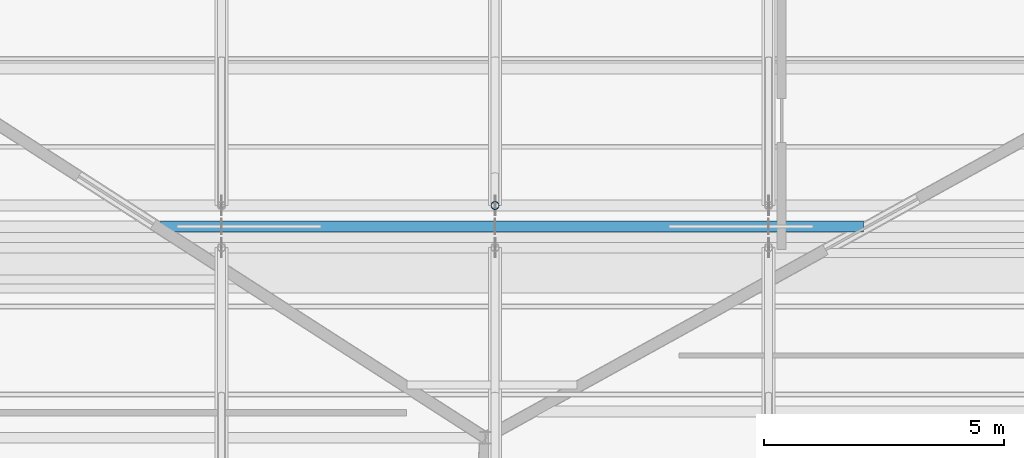
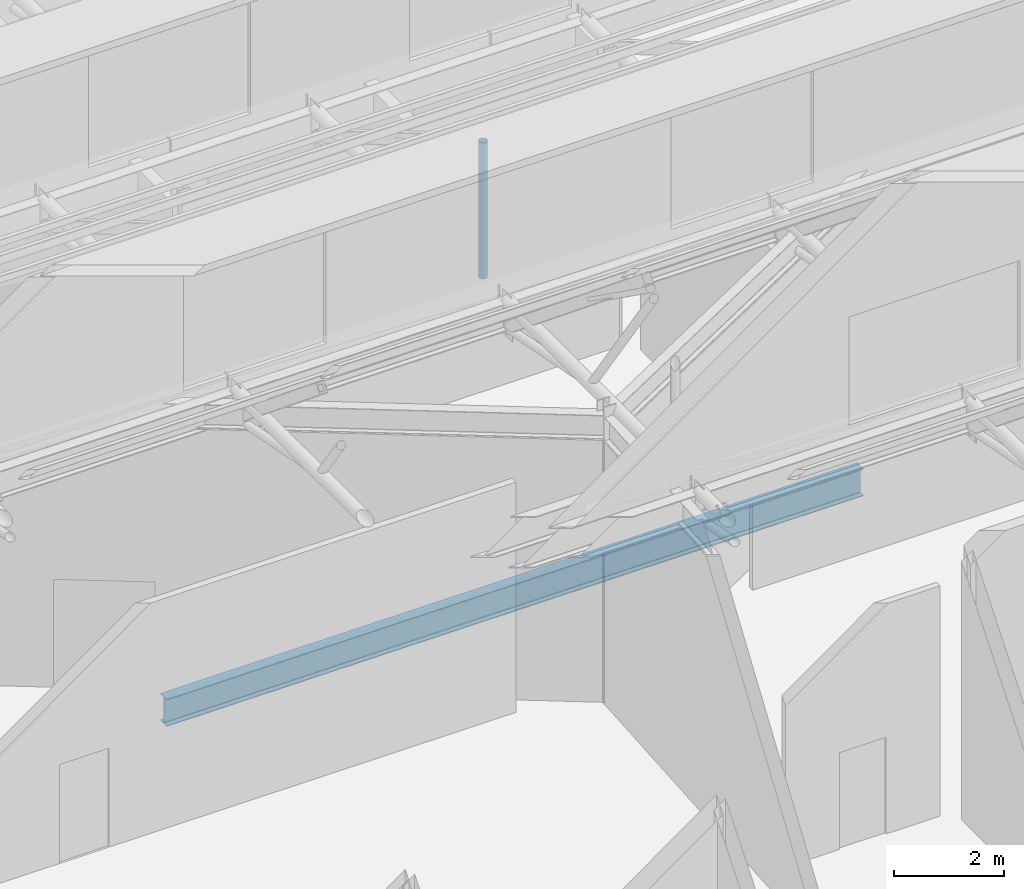
# One storey, part 29 of 55: 1 beam, 1 member.
"""IFC4 building model written with IfcOpenShell, lengths in metres."""

from ifc_helpers import new_model, si_unit, direction, frame, origin, origin_2d, place, context, subcontext, project, spatial, hollow_circle, i_section, extrude, material, material_profile, profile_set, type_object, element, save


model = new_model("IFC4")

# Units and contexts
model_context = context("Model", 3, precision=1e-05, world=origin(), true_north=direction((0.0, 1.0)))
body_context = subcontext(model_context, "Body", "Model", "MODEL_VIEW")
ifc_project = project(units=[si_unit("LENGTHUNIT", "METRE"), si_unit("AREAUNIT", "SQUARE_METRE"), si_unit("VOLUMEUNIT", "CUBIC_METRE"), si_unit("PLANEANGLEUNIT", "RADIAN"), si_unit("MASSUNIT", "GRAM", prefix="KILO")], contexts=[model_context])

# Site, building, storey
site_placement = place(None, origin())
site = spatial("IfcSite", under=ifc_project, at=site_placement, CompositionType="ELEMENT")
building_placement = place(site_placement, origin())
building = spatial("IfcBuilding", under=site, at=building_placement, Name="Tameran Prism Museum", CompositionType="ELEMENT")
storey_placement = place(building_placement, frame((0.0, 0.0, 28.800048828125)))
storey = spatial("IfcBuildingStorey", under=building, at=storey_placement, Name="L05", CompositionType="ELEMENT", Elevation=28.800048828125)

# Beam
ifc_material_1 = material(Name="Steel Grade 300PLUS (300 MPa)", Category="steel")
ifc_material_profile_1 = material_profile(ifc_material_1, i_section(OverallWidth=0.22802734375, OverallDepth=0.60693359375, WebThickness=0.01123046875, FlangeThickness=0.017333984375, FilletRadius=0.013916015625, at=origin_2d()))
ifc_profile_set_1 = profile_set([ifc_material_profile_1])
beam_type = type_object("IfcBeamType", Name="BM-UB610B", PredefinedType="BEAM", material=ifc_profile_set_1)
beam_placement = place(storey_placement, frame((112.030029296875, 93.5, -0.54345703125), z_axis=(1.0, 0.0, 0.0), x_axis=(0.0, 1.0, 0.0)))
element("IfcBeam", 1, at=beam_placement, inside=storey, type_object=beam_type, Name="Floor Beam BM-1307", PredefinedType="BEAM", context=body_context, shape_type="SweptSolid", body=[
    extrude(i_section(OverallWidth=0.22802734375, OverallDepth=0.60693359375, WebThickness=0.01123046875, FlangeThickness=0.017333984375, FilletRadius=0.013916015625, at=origin_2d()), origin(), (0.0, 0.0, 1.0), 14.64697265625),
])

# Member
ifc_material_2 = material(Name="Steel Grade C350L0 (350 MPa)", Category="steel")
ifc_material_profile_2 = material_profile(ifc_material_2, hollow_circle(Radius=0.084228515625, WallThickness=0.007080078125, at=origin_2d()))
ifc_profile_set_2 = profile_set([ifc_material_profile_2])
member_type = type_object("IfcMemberType", Name="MM-BR-CHS168", PredefinedType="BRACE", material=ifc_profile_set_2)
member_placement = place(storey_placement, frame((119.0, 93.93994140625, 6.385986328125), z_axis=(0.0, 0.0, 1.0), x_axis=(1.0, 0.0, 0.0)))
element("IfcMember", 2, at=member_placement, inside=storey, type_object=member_type, Name="Sawtooth Brace STM-0129", PredefinedType="BRACE", context=body_context, shape_type="SweptSolid", body=[
    extrude(hollow_circle(Radius=0.084228515625, WallThickness=0.007080078125, at=origin_2d()), origin(), (0.0, 0.0, 1.0), 3.02294921875),
])

save(model, "model.ifc")
